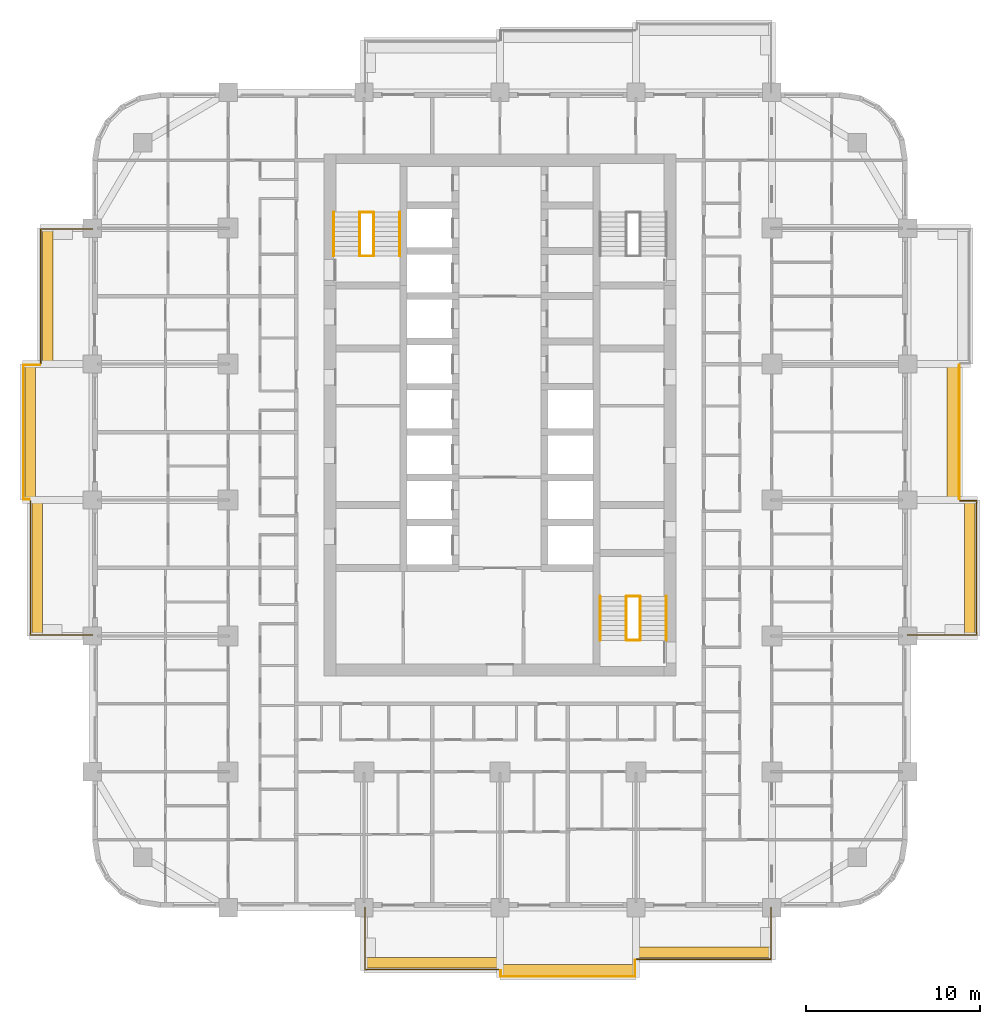
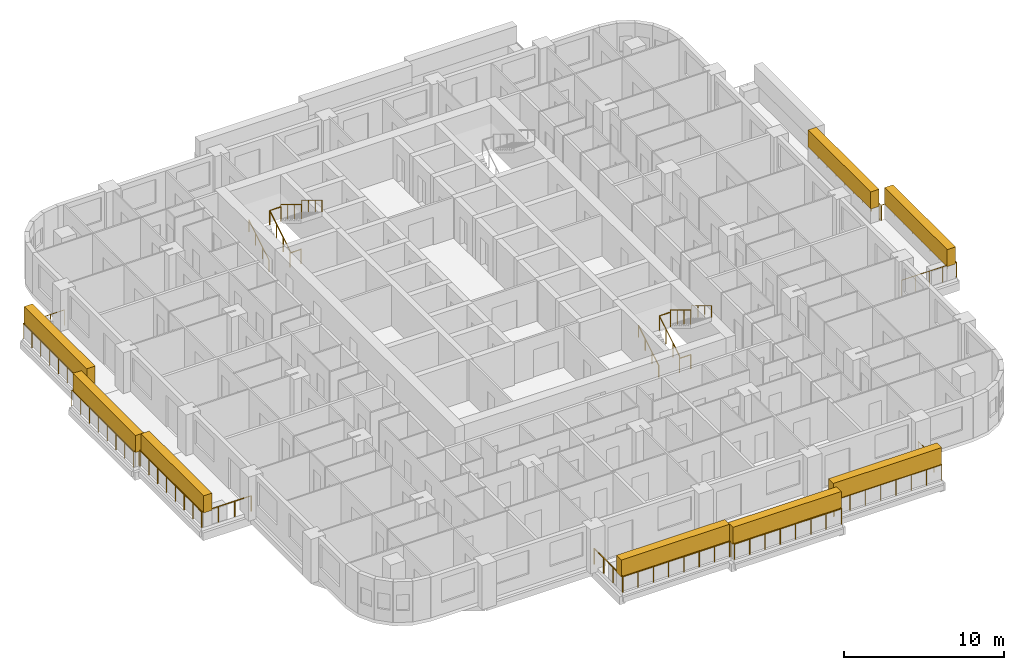
# One storey, part 16 of 17: 20 railings, 8 coverings, 2 elements without a shape of their own.
"""IFC4 building model written with IfcOpenShell, lengths in metres."""

from ifc_helpers import new_model, si_unit, direction, frame, origin, origin_2d, place, context, subcontext, project, spatial, rectangle, circle, extrude, material, layer, layer_set, type_object, element, aggregate, save


model = new_model("IFC4")

# Units and contexts
model_context = context("Model", 3, precision=1e-05, world=origin(), true_north=direction((0.0, 1.0)))
body_context = subcontext(model_context, "Body", "Model", "MODEL_VIEW")
ifc_project = project(units=[si_unit("LENGTHUNIT", "METRE"), si_unit("AREAUNIT", "SQUARE_METRE"), si_unit("VOLUMEUNIT", "CUBIC_METRE"), si_unit("PLANEANGLEUNIT", "RADIAN"), si_unit("MASSUNIT", "GRAM", prefix="KILO")], contexts=[model_context])

# Site, building, storey
site_placement = place(None, origin())
site = spatial("IfcSite", under=ifc_project, at=site_placement, CompositionType="ELEMENT")
building_placement = place(site_placement, origin())
building = spatial("IfcBuilding", under=site, at=building_placement, Name="Ludao Terraces", CompositionType="ELEMENT")
storey_placement = place(building_placement, frame((0.0, 0.0, 43.300048828125)))
storey = spatial("IfcBuildingStorey", under=building, at=storey_placement, Name="L11", CompositionType="ELEMENT", Elevation=43.300048828125)

# Railings
ifc_material_1 = material(Name="Stainless steel 304", Category="steel")
railing_type_1 = type_object("IfcRailingType", Name="ENV Balcony glass guard 1200", PredefinedType="GUARDRAIL", material=ifc_material_1)
railing_1_placement = place(storey_placement, frame((77.25, 41.60009765625, 0.0)))
element("IfcRailing", 1, at=railing_1_placement, inside=storey, type_object=railing_type_1, Name="Balcony guard L11 S2", PredefinedType="GUARDRAIL", context=body_context, shape_type="SweptSolid", body=[
    extrude(circle(Radius=0.02392578125, at=origin_2d()), frame((0.0, 0.0, 1.17578125), z_axis=(0.0, -1.0, 0.0), x_axis=(1.0, 0.0, 0.0)), (0.0, 0.0, 1.0), 3.550048828125),
    extrude(circle(Radius=0.02392578125, at=origin_2d()), frame((0.0, -3.550048828125, 1.17578125), z_axis=(1.0, 0.0, 0.0), x_axis=(0.0, 1.0, 0.0)), (0.0, 0.0, 1.0), 7.699951171875),
    extrude(circle(Radius=0.02099609375, at=origin_2d()), origin(), (0.0, 0.0, 1.0), 1.15185546875),
    extrude(circle(Radius=0.02099609375, at=origin_2d()), frame((0.0, -1.183349609375, 0.0)), (0.0, 0.0, 1.0), 1.15185546875),
    extrude(circle(Radius=0.02099609375, at=origin_2d()), frame((0.0, -2.36669921875, 0.0)), (0.0, 0.0, 1.0), 1.15185546875),
    extrude(circle(Radius=0.02099609375, at=origin_2d()), frame((0.0, -3.550048828125, 0.0)), (0.0, 0.0, 1.0), 1.15185546875),
    extrude(circle(Radius=0.02099609375, at=origin_2d()), frame((1.10009765625, -3.550048828125, 0.0)), (0.0, 0.0, 1.0), 1.15185546875),
    extrude(circle(Radius=0.02099609375, at=origin_2d()), frame((2.199951171875, -3.550048828125, 0.0)), (0.0, 0.0, 1.0), 1.15185546875),
    extrude(circle(Radius=0.02099609375, at=origin_2d()), frame((3.300048828125, -3.550048828125, 0.0)), (0.0, 0.0, 1.0), 1.15185546875),
    extrude(circle(Radius=0.02099609375, at=origin_2d()), frame((4.39990234375, -3.550048828125, 0.0)), (0.0, 0.0, 1.0), 1.15185546875),
    extrude(circle(Radius=0.02099609375, at=origin_2d()), frame((5.5, -3.550048828125, 0.0)), (0.0, 0.0, 1.0), 1.15185546875),
    extrude(circle(Radius=0.02099609375, at=origin_2d()), frame((6.599853515625, -3.550048828125, 0.0)), (0.0, 0.0, 1.0), 1.15185546875),
    extrude(circle(Radius=0.02099609375, at=origin_2d()), frame((7.699951171875, -3.550048828125, 0.0)), (0.0, 0.0, 1.0), 1.15185546875),
])
railing_2_placement = place(storey_placement, frame((85.050048828125, 38.0, 0.0)))
element("IfcRailing", 2, at=railing_2_placement, inside=storey, type_object=railing_type_1, Name="Balcony guard L11 S3", PredefinedType="GUARDRAIL", context=body_context, shape_type="SweptSolid", body=[
    extrude(circle(Radius=0.02392578125, at=origin_2d()), frame((0.0, 0.0, 1.17578125), z_axis=(0.0, -1.0, 0.0), x_axis=(1.0, 0.0, 0.0)), (0.0, 0.0, 1.0), 0.35009765625),
    extrude(circle(Radius=0.02392578125, at=origin_2d()), frame((0.0, -0.35009765625, 1.17578125), z_axis=(1.0, 0.0, 0.0), x_axis=(0.0, 1.0, 0.0)), (0.0, 0.0, 1.0), 7.699951171875),
    extrude(circle(Radius=0.02392578125, at=origin_2d()), frame((7.699951171875, -0.35009765625, 1.17578125), z_axis=(0.0, 1.0, 0.0), x_axis=(-1.0, 0.0, 0.0)), (0.0, 0.0, 1.0), 0.9501953125),
    extrude(circle(Radius=0.02099609375, at=origin_2d()), origin(), (0.0, 0.0, 1.0), 1.15185546875),
    extrude(circle(Radius=0.02099609375, at=origin_2d()), frame((0.0, -0.35009765625, 0.0)), (0.0, 0.0, 1.0), 1.15185546875),
    extrude(circle(Radius=0.02099609375, at=origin_2d()), frame((1.10009765625, -0.35009765625, 0.0)), (0.0, 0.0, 1.0), 1.15185546875),
    extrude(circle(Radius=0.02099609375, at=origin_2d()), frame((2.199951171875, -0.35009765625, 0.0)), (0.0, 0.0, 1.0), 1.15185546875),
    extrude(circle(Radius=0.02099609375, at=origin_2d()), frame((3.300048828125, -0.35009765625, 0.0)), (0.0, 0.0, 1.0), 1.15185546875),
    extrude(circle(Radius=0.02099609375, at=origin_2d()), frame((4.39990234375, -0.35009765625, 0.0)), (0.0, 0.0, 1.0), 1.15185546875),
    extrude(circle(Radius=0.02099609375, at=origin_2d()), frame((5.5, -0.35009765625, 0.0)), (0.0, 0.0, 1.0), 1.15185546875),
    extrude(circle(Radius=0.02099609375, at=origin_2d()), frame((6.599853515625, -0.35009765625, 0.0)), (0.0, 0.0, 1.0), 1.15185546875),
    extrude(circle(Radius=0.02099609375, at=origin_2d()), frame((7.699951171875, -0.35009765625, 0.0)), (0.0, 0.0, 1.0), 1.15185546875),
    extrude(circle(Radius=0.02099609375, at=origin_2d()), frame((7.699951171875, 0.60009765625, 0.0)), (0.0, 0.0, 1.0), 1.15185546875),
])
railing_3_placement = place(storey_placement, frame((92.85009765625, 38.64990234375, 0.0)))
element("IfcRailing", 3, at=railing_3_placement, inside=storey, type_object=railing_type_1, Name="Balcony guard L11 S4", PredefinedType="GUARDRAIL", context=body_context, shape_type="SweptSolid", body=[
    extrude(circle(Radius=0.02392578125, at=origin_2d()), frame((0.0, 0.0, 1.17578125), z_axis=(1.0, 0.0, 0.0), x_axis=(0.0, 1.0, 0.0)), (0.0, 0.0, 1.0), 7.699951171875),
    extrude(circle(Radius=0.02392578125, at=origin_2d()), frame((7.699951171875, 0.0, 1.17578125), z_axis=(0.0, 1.0, 0.0), x_axis=(-1.0, 0.0, 0.0)), (0.0, 0.0, 1.0), 2.9501953125),
    extrude(circle(Radius=0.02099609375, at=origin_2d()), origin(), (0.0, 0.0, 1.0), 1.15185546875),
    extrude(circle(Radius=0.02099609375, at=origin_2d()), frame((1.10009765625, 0.0, 0.0)), (0.0, 0.0, 1.0), 1.15185546875),
    extrude(circle(Radius=0.02099609375, at=origin_2d()), frame((2.199951171875, 0.0, 0.0)), (0.0, 0.0, 1.0), 1.15185546875),
    extrude(circle(Radius=0.02099609375, at=origin_2d()), frame((3.300048828125, 0.0, 0.0)), (0.0, 0.0, 1.0), 1.15185546875),
    extrude(circle(Radius=0.02099609375, at=origin_2d()), frame((4.39990234375, 0.0, 0.0)), (0.0, 0.0, 1.0), 1.15185546875),
    extrude(circle(Radius=0.02099609375, at=origin_2d()), frame((5.5, 0.0, 0.0)), (0.0, 0.0, 1.0), 1.15185546875),
    extrude(circle(Radius=0.02099609375, at=origin_2d()), frame((6.599853515625, 0.0, 0.0)), (0.0, 0.0, 1.0), 1.15185546875),
    extrude(circle(Radius=0.02099609375, at=origin_2d()), frame((7.699951171875, 0.0, 0.0)), (0.0, 0.0, 1.0), 1.15185546875),
    extrude(circle(Radius=0.02099609375, at=origin_2d()), frame((7.699951171875, 0.9833984375, 0.0)), (0.0, 0.0, 1.0), 1.15185546875),
    extrude(circle(Radius=0.02099609375, at=origin_2d()), frame((7.699951171875, 1.966796875, 0.0)), (0.0, 0.0, 1.0), 1.15185546875),
    extrude(circle(Radius=0.02099609375, at=origin_2d()), frame((7.699951171875, 2.9501953125, 0.0)), (0.0, 0.0, 1.0), 1.15185546875),
])
railing_4_placement = place(storey_placement, frame((108.39990234375, 57.25, 0.0)))
element("IfcRailing", 4, at=railing_4_placement, inside=storey, type_object=railing_type_1, Name="Balcony guard L11 E2", PredefinedType="GUARDRAIL", context=body_context, shape_type="SweptSolid", body=[
    extrude(circle(Radius=0.02392578125, at=origin_2d()), frame((0.0, 0.0, 1.17578125), z_axis=(1.0, 0.0, 0.0), x_axis=(0.0, 1.0, 0.0)), (0.0, 0.0, 1.0), 3.9501953125),
    extrude(circle(Radius=0.02392578125, at=origin_2d()), frame((3.9501953125, 0.0, 1.17578125), z_axis=(0.0, 1.0, 0.0), x_axis=(-1.0, 0.0, 0.0)), (0.0, 0.0, 1.0), 7.699951171875),
    extrude(circle(Radius=0.02392578125, at=origin_2d()), frame((3.9501953125, 7.699951171875, 1.17578125), z_axis=(-1.0, 0.0, 0.0), x_axis=(0.0, -1.0, 0.0)), (0.0, 0.0, 1.0), 0.9501953125),
    extrude(circle(Radius=0.02099609375, at=origin_2d()), origin(), (0.0, 0.0, 1.0), 1.15185546875),
    extrude(circle(Radius=0.02099609375, at=origin_2d()), frame((0.987548828125, 0.0, 0.0)), (0.0, 0.0, 1.0), 1.15185546875),
    extrude(circle(Radius=0.02099609375, at=origin_2d()), frame((1.97509765625, 0.0, 0.0)), (0.0, 0.0, 1.0), 1.15185546875),
    extrude(circle(Radius=0.02099609375, at=origin_2d()), frame((2.962646484375, 0.0, 0.0)), (0.0, 0.0, 1.0), 1.15185546875),
    extrude(circle(Radius=0.02099609375, at=origin_2d()), frame((3.9501953125, 0.0, 0.0)), (0.0, 0.0, 1.0), 1.15185546875),
    extrude(circle(Radius=0.02099609375, at=origin_2d()), frame((3.9501953125, 1.10009765625, 0.0)), (0.0, 0.0, 1.0), 1.15185546875),
    extrude(circle(Radius=0.02099609375, at=origin_2d()), frame((3.9501953125, 2.199951171875, 0.0)), (0.0, 0.0, 1.0), 1.15185546875),
    extrude(circle(Radius=0.02099609375, at=origin_2d()), frame((3.9501953125, 3.300048828125, 0.0)), (0.0, 0.0, 1.0), 1.15185546875),
    extrude(circle(Radius=0.02099609375, at=origin_2d()), frame((3.9501953125, 4.39990234375, 0.0)), (0.0, 0.0, 1.0), 1.15185546875),
    extrude(circle(Radius=0.02099609375, at=origin_2d()), frame((3.9501953125, 5.5, 0.0)), (0.0, 0.0, 1.0), 1.15185546875),
    extrude(circle(Radius=0.02099609375, at=origin_2d()), frame((3.9501953125, 6.599853515625, 0.0)), (0.0, 0.0, 1.0), 1.15185546875),
    extrude(circle(Radius=0.02099609375, at=origin_2d()), frame((3.9501953125, 7.699951171875, 0.0)), (0.0, 0.0, 1.0), 1.15185546875),
    extrude(circle(Radius=0.02099609375, at=origin_2d()), frame((3.0, 7.699951171875, 0.0)), (0.0, 0.0, 1.0), 1.15185546875),
])
railing_5_placement = place(storey_placement, frame((111.35009765625, 65.050048828125, 0.0)))
element("IfcRailing", 5, at=railing_5_placement, inside=storey, type_object=railing_type_1, Name="Balcony guard L11 E3", PredefinedType="GUARDRAIL", context=body_context, shape_type="SweptSolid", body=[
    extrude(circle(Radius=0.02392578125, at=origin_2d()), frame((0.0, 0.0, 1.17578125), z_axis=(0.0, 1.0, 0.0), x_axis=(-1.0, 0.0, 0.0)), (0.0, 0.0, 1.0), 7.699951171875),
    extrude(circle(Radius=0.02099609375, at=origin_2d()), origin(), (0.0, 0.0, 1.0), 1.15185546875),
    extrude(circle(Radius=0.02099609375, at=origin_2d()), frame((0.0, 1.10009765625, 0.0)), (0.0, 0.0, 1.0), 1.15185546875),
    extrude(circle(Radius=0.02099609375, at=origin_2d()), frame((0.0, 2.199951171875, 0.0)), (0.0, 0.0, 1.0), 1.15185546875),
    extrude(circle(Radius=0.02099609375, at=origin_2d()), frame((0.0, 3.300048828125, 0.0)), (0.0, 0.0, 1.0), 1.15185546875),
    extrude(circle(Radius=0.02099609375, at=origin_2d()), frame((0.0, 4.39990234375, 0.0)), (0.0, 0.0, 1.0), 1.15185546875),
    extrude(circle(Radius=0.02099609375, at=origin_2d()), frame((0.0, 5.5, 0.0)), (0.0, 0.0, 1.0), 1.15185546875),
    extrude(circle(Radius=0.02099609375, at=origin_2d()), frame((0.0, 6.599853515625, 0.0)), (0.0, 0.0, 1.0), 1.15185546875),
    extrude(circle(Radius=0.02099609375, at=origin_2d()), frame((0.0, 7.699951171875, 0.0)), (0.0, 0.0, 1.0), 1.15185546875),
])
railing_6_placement = place(storey_placement, frame((61.60009765625, 57.25, 0.0)))
element("IfcRailing", 6, at=railing_6_placement, inside=storey, type_object=railing_type_1, Name="Balcony guard L11 W2", PredefinedType="GUARDRAIL", context=body_context, shape_type="SweptSolid", body=[
    extrude(circle(Radius=0.02392578125, at=origin_2d()), frame((0.0, 0.0, 1.17578125), z_axis=(-1.0, 0.0, 0.0), x_axis=(0.0, -1.0, 0.0)), (0.0, 0.0, 1.0), 3.550048828125),
    extrude(circle(Radius=0.02392578125, at=origin_2d()), frame((-3.550048828125, 0.0, 1.17578125), z_axis=(0.0, 1.0, 0.0), x_axis=(-1.0, 0.0, 0.0)), (0.0, 0.0, 1.0), 7.699951171875),
    extrude(circle(Radius=0.02099609375, at=origin_2d()), origin(), (0.0, 0.0, 1.0), 1.15185546875),
    extrude(circle(Radius=0.02099609375, at=origin_2d()), frame((-1.183349609375, 0.0, 0.0)), (0.0, 0.0, 1.0), 1.15185546875),
    extrude(circle(Radius=0.02099609375, at=origin_2d()), frame((-2.36669921875, 0.0, 0.0)), (0.0, 0.0, 1.0), 1.15185546875),
    extrude(circle(Radius=0.02099609375, at=origin_2d()), frame((-3.550048828125, 0.0, 0.0)), (0.0, 0.0, 1.0), 1.15185546875),
    extrude(circle(Radius=0.02099609375, at=origin_2d()), frame((-3.550048828125, 1.10009765625, 0.0)), (0.0, 0.0, 1.0), 1.15185546875),
    extrude(circle(Radius=0.02099609375, at=origin_2d()), frame((-3.550048828125, 2.199951171875, 0.0)), (0.0, 0.0, 1.0), 1.15185546875),
    extrude(circle(Radius=0.02099609375, at=origin_2d()), frame((-3.550048828125, 3.300048828125, 0.0)), (0.0, 0.0, 1.0), 1.15185546875),
    extrude(circle(Radius=0.02099609375, at=origin_2d()), frame((-3.550048828125, 4.39990234375, 0.0)), (0.0, 0.0, 1.0), 1.15185546875),
    extrude(circle(Radius=0.02099609375, at=origin_2d()), frame((-3.550048828125, 5.5, 0.0)), (0.0, 0.0, 1.0), 1.15185546875),
    extrude(circle(Radius=0.02099609375, at=origin_2d()), frame((-3.550048828125, 6.599853515625, 0.0)), (0.0, 0.0, 1.0), 1.15185546875),
    extrude(circle(Radius=0.02099609375, at=origin_2d()), frame((-3.550048828125, 7.699951171875, 0.0)), (0.0, 0.0, 1.0), 1.15185546875),
])
railing_7_placement = place(storey_placement, frame((58.0, 65.050048828125, 0.0)))
element("IfcRailing", 7, at=railing_7_placement, inside=storey, type_object=railing_type_1, Name="Balcony guard L11 W3", PredefinedType="GUARDRAIL", context=body_context, shape_type="SweptSolid", body=[
    extrude(circle(Radius=0.02392578125, at=origin_2d()), frame((0.0, 0.0, 1.17578125), z_axis=(-1.0, 0.0, 0.0), x_axis=(0.0, -1.0, 0.0)), (0.0, 0.0, 1.0), 0.35009765625),
    extrude(circle(Radius=0.02392578125, at=origin_2d()), frame((-0.35009765625, 0.0, 1.17578125), z_axis=(0.0, 1.0, 0.0), x_axis=(-1.0, 0.0, 0.0)), (0.0, 0.0, 1.0), 7.699951171875),
    extrude(circle(Radius=0.02392578125, at=origin_2d()), frame((-0.35009765625, 7.699951171875, 1.17578125), z_axis=(1.0, 0.0, 0.0), x_axis=(0.0, 1.0, 0.0)), (0.0, 0.0, 1.0), 0.9501953125),
    extrude(circle(Radius=0.02099609375, at=origin_2d()), origin(), (0.0, 0.0, 1.0), 1.15185546875),
    extrude(circle(Radius=0.02099609375, at=origin_2d()), frame((-0.35009765625, 0.0, 0.0)), (0.0, 0.0, 1.0), 1.15185546875),
    extrude(circle(Radius=0.02099609375, at=origin_2d()), frame((-0.35009765625, 1.10009765625, 0.0)), (0.0, 0.0, 1.0), 1.15185546875),
    extrude(circle(Radius=0.02099609375, at=origin_2d()), frame((-0.35009765625, 2.199951171875, 0.0)), (0.0, 0.0, 1.0), 1.15185546875),
    extrude(circle(Radius=0.02099609375, at=origin_2d()), frame((-0.35009765625, 3.300048828125, 0.0)), (0.0, 0.0, 1.0), 1.15185546875),
    extrude(circle(Radius=0.02099609375, at=origin_2d()), frame((-0.35009765625, 4.39990234375, 0.0)), (0.0, 0.0, 1.0), 1.15185546875),
    extrude(circle(Radius=0.02099609375, at=origin_2d()), frame((-0.35009765625, 5.5, 0.0)), (0.0, 0.0, 1.0), 1.15185546875),
    extrude(circle(Radius=0.02099609375, at=origin_2d()), frame((-0.35009765625, 6.599853515625, 0.0)), (0.0, 0.0, 1.0), 1.15185546875),
    extrude(circle(Radius=0.02099609375, at=origin_2d()), frame((-0.35009765625, 7.699951171875, 0.0)), (0.0, 0.0, 1.0), 1.15185546875),
    extrude(circle(Radius=0.02099609375, at=origin_2d()), frame((0.60009765625, 7.699951171875, 0.0)), (0.0, 0.0, 1.0), 1.15185546875),
])
railing_8_placement = place(storey_placement, frame((58.64990234375, 72.85009765625, 0.0)))
element("IfcRailing", 8, at=railing_8_placement, inside=storey, type_object=railing_type_1, Name="Balcony guard L11 W4", PredefinedType="GUARDRAIL", context=body_context, shape_type="SweptSolid", body=[
    extrude(circle(Radius=0.02392578125, at=origin_2d()), frame((0.0, 0.0, 1.17578125), z_axis=(0.0, 1.0, 0.0), x_axis=(-1.0, 0.0, 0.0)), (0.0, 0.0, 1.0), 7.699951171875),
    extrude(circle(Radius=0.02392578125, at=origin_2d()), frame((0.0, 7.699951171875, 1.17578125), z_axis=(1.0, 0.0, 0.0), x_axis=(0.0, 1.0, 0.0)), (0.0, 0.0, 1.0), 2.9501953125),
    extrude(circle(Radius=0.02099609375, at=origin_2d()), origin(), (0.0, 0.0, 1.0), 1.15185546875),
    extrude(circle(Radius=0.02099609375, at=origin_2d()), frame((0.0, 1.10009765625, 0.0)), (0.0, 0.0, 1.0), 1.15185546875),
    extrude(circle(Radius=0.02099609375, at=origin_2d()), frame((0.0, 2.199951171875, 0.0)), (0.0, 0.0, 1.0), 1.15185546875),
    extrude(circle(Radius=0.02099609375, at=origin_2d()), frame((0.0, 3.300048828125, 0.0)), (0.0, 0.0, 1.0), 1.15185546875),
    extrude(circle(Radius=0.02099609375, at=origin_2d()), frame((0.0, 4.39990234375, 0.0)), (0.0, 0.0, 1.0), 1.15185546875),
    extrude(circle(Radius=0.02099609375, at=origin_2d()), frame((0.0, 5.5, 0.0)), (0.0, 0.0, 1.0), 1.15185546875),
    extrude(circle(Radius=0.02099609375, at=origin_2d()), frame((0.0, 6.599853515625, 0.0)), (0.0, 0.0, 1.0), 1.15185546875),
    extrude(circle(Radius=0.02099609375, at=origin_2d()), frame((0.0, 7.699951171875, 0.0)), (0.0, 0.0, 1.0), 1.15185546875),
    extrude(circle(Radius=0.02099609375, at=origin_2d()), frame((0.9833984375, 7.699951171875, 0.0)), (0.0, 0.0, 1.0), 1.15185546875),
    extrude(circle(Radius=0.02099609375, at=origin_2d()), frame((1.966796875, 7.699951171875, 0.0)), (0.0, 0.0, 1.0), 1.15185546875),
    extrude(circle(Radius=0.02099609375, at=origin_2d()), frame((2.9501953125, 7.699951171875, 0.0)), (0.0, 0.0, 1.0), 1.15185546875),
])

# Coverings
ifc_material_2 = material(Name="Planting")
ifc_layer = layer(ifc_material_2, 0.60009765625)
ifc_layer_set = layer_set([ifc_layer], Name="ENV Planting hedge 600x1300")
covering_type = type_object("IfcCoveringType", Name="ENV Planting hedge 600x1300", PredefinedType="USERDEFINED", material=ifc_layer_set)
for number, where, z_axis, x_axis, name in (
    (9, (81.10009765625, 38.449951171875, 1.10009765625), (0.0, 0.0, 1.0), (1.0, 0.0, 0.0), "Planting hedge L11-S2"),
    (10, (88.89990234375, 38.050048828125, 1.10009765625), (0.0, 0.0, 1.0), (1.0, 0.0, 0.0), "Planting hedge L11-S3"),
    (11, (96.699951171875, 39.050048828125, 1.10009765625), (0.0, 0.0, 1.0), (1.0, 0.0, 0.0), "Planting hedge L11-S4"),
):
    element("IfcCovering", number, at=place(storey_placement, frame(where, z_axis=z_axis, x_axis=x_axis)), inside=storey, type_object=covering_type, Name=name, ObjectType="PLANTING", PredefinedType="USERDEFINED", context=body_context, shape_type="SweptSolid", body=[
        extrude(rectangle(XDim=7.800048828125, YDim=0.60009765625, at=origin_2d()), origin(), (0.0, 0.0, 1.0), 1.300048828125),
    ])
for number, where, z_axis, x_axis, name in (
    (12, (111.949951171875, 61.10009765625, 1.10009765625), (0.0, 0.0, 1.0), (1.0, 0.0, 0.0), "Planting hedge L11-E2"),
    (13, (110.949951171875, 68.89990234375, 1.10009765625), (0.0, 0.0, 1.0), (1.0, 0.0, 0.0), "Planting hedge L11-E3"),
    (14, (58.449951171875, 61.10009765625, 1.10009765625), (0.0, 0.0, 1.0), (1.0, 0.0, 0.0), "Planting hedge L11-W2"),
    (15, (58.050048828125, 68.89990234375, 1.10009765625), (0.0, 0.0, 1.0), (1.0, 0.0, 0.0), "Planting hedge L11-W3"),
    (16, (59.050048828125, 76.699951171875, 1.10009765625), (0.0, 0.0, 1.0), (1.0, 0.0, 0.0), "Planting hedge L11-W4"),
):
    element("IfcCovering", number, at=place(storey_placement, frame(where, z_axis=z_axis, x_axis=x_axis)), inside=storey, type_object=covering_type, Name=name, ObjectType="PLANTING", PredefinedType="USERDEFINED", context=body_context, shape_type="SweptSolid", body=[
        extrude(rectangle(XDim=0.60009765625, YDim=7.800048828125, at=origin_2d()), origin(), (0.0, 0.0, 1.0), 1.300048828125),
    ])

# Stair, railings
ifc_material_3 = material(Name="Concrete C40", Category="concrete")
stair_type = type_object("IfcStairType", Name="INT Stair", PredefinedType="HALF_TURN_STAIR", material=ifc_material_3)
stair_1_placement = place(storey_placement, origin())
stair_1 = element("IfcStair", 17, at=stair_1_placement, inside=storey, type_object=stair_type, Name="EXIT STAIR 1", PredefinedType="HALF_TURN_STAIR")
railing_type_2 = type_object("IfcRailingType", Name="INT Stair guard 1100", PredefinedType="GUARDRAIL", material=ifc_material_1)
railing_9_placement = place(storey_placement, frame((76.949951171875, 79.0, 0.169921875)))
railing_9 = element("IfcRailing", 18, at=railing_9_placement, type_object=railing_type_2, Name="ST-L11-S1-R1G", PredefinedType="GUARDRAIL", context=body_context, shape_type="SweptSolid", body=[
    extrude(circle(Radius=0.02392578125, at=origin_2d()), frame((0.0, 0.0, 1.076171875), z_axis=(0.0, 0.85478489116, 0.518982456201), x_axis=(-1.0, 0.0, 0.0)), (0.0, 0.0, 1.0), 2.9482421875),
    extrude(circle(Radius=0.02099609375, at=origin_2d()), origin(), (0.0, 0.0, 1.0), 1.052001953125),
    extrude(circle(Radius=0.02099609375, at=origin_2d()), frame((0.0, 0.840087890625, 0.510009765625)), (0.0, 0.0, 1.0), 1.052001953125),
    extrude(circle(Radius=0.02099609375, at=origin_2d()), frame((0.0, 1.679931640625, 1.02001953125)), (0.0, 0.0, 1.0), 1.052001953125),
    extrude(circle(Radius=0.02099609375, at=origin_2d()), frame((0.0, 2.52001953125, 1.530029296875)), (0.0, 0.0, 1.0), 1.052001953125),
])
railing_10_placement = place(storey_placement, frame((77.75, 81.52001953125, 1.869873046875)))
railing_10 = element("IfcRailing", 19, at=railing_10_placement, type_object=railing_type_2, Name="ST-L11-S1-R2G", PredefinedType="GUARDRAIL", context=body_context, shape_type="SweptSolid", body=[
    extrude(circle(Radius=0.02392578125, at=origin_2d()), frame((0.0, 0.0, 1.076171875), z_axis=(0.0, -0.85478489116, 0.518982456201), x_axis=(1.0, 0.0, 0.0)), (0.0, 0.0, 1.0), 2.9482421875),
    extrude(circle(Radius=0.02099609375, at=origin_2d()), origin(), (0.0, 0.0, 1.0), 1.052001953125),
    extrude(circle(Radius=0.02099609375, at=origin_2d()), frame((0.0, -0.840087890625, 0.510009765625)), (0.0, 0.0, 1.0), 1.052001953125),
    extrude(circle(Radius=0.02099609375, at=origin_2d()), frame((0.0, -1.679931640625, 1.02001953125)), (0.0, 0.0, 1.0), 1.052001953125),
    extrude(circle(Radius=0.02099609375, at=origin_2d()), frame((0.0, -2.52001953125, 1.530029296875)), (0.0, 0.0, 1.0), 1.052001953125),
])
railing_11_placement = place(storey_placement, frame((76.949951171875, 81.52001953125, 1.699951171875)))
railing_11 = element("IfcRailing", 20, at=railing_11_placement, type_object=railing_type_2, Name="ST-L11-S1-E1G", PredefinedType="GUARDRAIL", context=body_context, shape_type="SweptSolid", body=[
    extrude(circle(Radius=0.02392578125, at=origin_2d()), frame((0.0, 0.0, 1.076171875), z_axis=(1.0, 0.0, 0.0), x_axis=(0.0, 1.0, 0.0)), (0.0, 0.0, 1.0), 0.800048828125),
    extrude(circle(Radius=0.02099609375, at=origin_2d()), origin(), (0.0, 0.0, 1.0), 1.052001953125),
    extrude(circle(Radius=0.02099609375, at=origin_2d()), frame((0.800048828125, 0.0, 0.0)), (0.0, 0.0, 1.0), 1.052001953125),
])
railing_12_placement = place(storey_placement, frame((76.949951171875, 79.0, 0.0)))
railing_12 = element("IfcRailing", 21, at=railing_12_placement, type_object=railing_type_2, Name="ST-L11-S1-E2G", PredefinedType="GUARDRAIL", context=body_context, shape_type="SweptSolid", body=[
    extrude(circle(Radius=0.02392578125, at=origin_2d()), frame((0.0, 0.0, 1.076171875), z_axis=(1.0, 0.0, 0.0), x_axis=(0.0, 1.0, 0.0)), (0.0, 0.0, 1.0), 0.800048828125),
    extrude(circle(Radius=0.02099609375, at=origin_2d()), origin(), (0.0, 0.0, 1.0), 1.052001953125),
    extrude(circle(Radius=0.02099609375, at=origin_2d()), frame((0.800048828125, 0.0, 0.0)), (0.0, 0.0, 1.0), 1.052001953125),
])

stair_2_placement = place(storey_placement, origin())
stair_2 = element("IfcStair", 22, at=stair_2_placement, inside=storey, type_object=stair_type, Name="EXIT STAIR 3", PredefinedType="HALF_TURN_STAIR")
railing_13_placement = place(storey_placement, frame((92.25, 56.949951171875, 0.169921875)))
railing_13 = element("IfcRailing", 23, at=railing_13_placement, type_object=railing_type_2, Name="ST-L11-S3-R1G", PredefinedType="GUARDRAIL", context=body_context, shape_type="SweptSolid", body=[
    extrude(circle(Radius=0.02392578125, at=origin_2d()), frame((0.0, 0.0, 1.076171875), z_axis=(0.0, 0.85478489116, 0.518982456201), x_axis=(-1.0, 0.0, 0.0)), (0.0, 0.0, 1.0), 2.9482421875),
    extrude(circle(Radius=0.02099609375, at=origin_2d()), origin(), (0.0, 0.0, 1.0), 1.052001953125),
    extrude(circle(Radius=0.02099609375, at=origin_2d()), frame((0.0, 0.840087890625, 0.510009765625)), (0.0, 0.0, 1.0), 1.052001953125),
    extrude(circle(Radius=0.02099609375, at=origin_2d()), frame((0.0, 1.679931640625, 1.02001953125)), (0.0, 0.0, 1.0), 1.052001953125),
    extrude(circle(Radius=0.02099609375, at=origin_2d()), frame((0.0, 2.52001953125, 1.530029296875)), (0.0, 0.0, 1.0), 1.052001953125),
])
railing_14_placement = place(storey_placement, frame((93.050048828125, 59.469970703125, 1.869873046875)))
railing_14 = element("IfcRailing", 24, at=railing_14_placement, type_object=railing_type_2, Name="ST-L11-S3-R2G", PredefinedType="GUARDRAIL", context=body_context, shape_type="SweptSolid", body=[
    extrude(circle(Radius=0.02392578125, at=origin_2d()), frame((0.0, 0.0, 1.076171875), z_axis=(0.0, -0.85478489116, 0.518982456201), x_axis=(1.0, 0.0, 0.0)), (0.0, 0.0, 1.0), 2.9482421875),
    extrude(circle(Radius=0.02099609375, at=origin_2d()), origin(), (0.0, 0.0, 1.0), 1.052001953125),
    extrude(circle(Radius=0.02099609375, at=origin_2d()), frame((0.0, -0.840087890625, 0.510009765625)), (0.0, 0.0, 1.0), 1.052001953125),
    extrude(circle(Radius=0.02099609375, at=origin_2d()), frame((0.0, -1.679931640625, 1.02001953125)), (0.0, 0.0, 1.0), 1.052001953125),
    extrude(circle(Radius=0.02099609375, at=origin_2d()), frame((0.0, -2.52001953125, 1.530029296875)), (0.0, 0.0, 1.0), 1.052001953125),
])
railing_15_placement = place(storey_placement, frame((92.25, 59.469970703125, 1.699951171875)))
railing_15 = element("IfcRailing", 25, at=railing_15_placement, type_object=railing_type_2, Name="ST-L11-S3-E1G", PredefinedType="GUARDRAIL", context=body_context, shape_type="SweptSolid", body=[
    extrude(circle(Radius=0.02392578125, at=origin_2d()), frame((0.0, 0.0, 1.076171875), z_axis=(1.0, 0.0, 0.0), x_axis=(0.0, 1.0, 0.0)), (0.0, 0.0, 1.0), 0.800048828125),
    extrude(circle(Radius=0.02099609375, at=origin_2d()), origin(), (0.0, 0.0, 1.0), 1.052001953125),
    extrude(circle(Radius=0.02099609375, at=origin_2d()), frame((0.800048828125, 0.0, 0.0)), (0.0, 0.0, 1.0), 1.052001953125),
])
railing_16_placement = place(storey_placement, frame((92.25, 56.949951171875, 0.0)))
railing_16 = element("IfcRailing", 26, at=railing_16_placement, type_object=railing_type_2, Name="ST-L11-S3-E2G", PredefinedType="GUARDRAIL", context=body_context, shape_type="SweptSolid", body=[
    extrude(circle(Radius=0.02392578125, at=origin_2d()), frame((0.0, 0.0, 1.076171875), z_axis=(1.0, 0.0, 0.0), x_axis=(0.0, 1.0, 0.0)), (0.0, 0.0, 1.0), 0.800048828125),
    extrude(circle(Radius=0.02099609375, at=origin_2d()), origin(), (0.0, 0.0, 1.0), 1.052001953125),
    extrude(circle(Radius=0.02099609375, at=origin_2d()), frame((0.800048828125, 0.0, 0.0)), (0.0, 0.0, 1.0), 1.052001953125),
])

# Railing
railing_type_3 = type_object("IfcRailingType", Name="INT Stair handrail 900", PredefinedType="HANDRAIL", material=ifc_material_1)
railing_17_placement = place(storey_placement, frame((75.449951171875, 79.0, 0.169921875)))
railing_17 = element("IfcRailing", 27, at=railing_17_placement, type_object=railing_type_3, Name="ST-L11-S1-R1H", PredefinedType="HANDRAIL", context=body_context, shape_type="SweptSolid", body=[
    extrude(circle(Radius=0.02392578125, at=origin_2d()), frame((0.0, 0.0, 0.8759765625), z_axis=(0.0, 0.85478489116, 0.518982456201), x_axis=(-1.0, 0.0, 0.0)), (0.0, 0.0, 1.0), 2.9482421875),
    extrude(circle(Radius=0.02099609375, at=origin_2d()), origin(), (0.0, 0.0, 1.0), 0.851806640625),
    extrude(circle(Radius=0.02099609375, at=origin_2d()), frame((0.0, 0.840087890625, 0.510009765625)), (0.0, 0.0, 1.0), 0.851806640625),
    extrude(circle(Radius=0.02099609375, at=origin_2d()), frame((0.0, 1.679931640625, 1.02001953125)), (0.0, 0.0, 1.0), 0.851806640625),
    extrude(circle(Radius=0.02099609375, at=origin_2d()), frame((0.0, 2.52001953125, 1.530029296875)), (0.0, 0.0, 1.0), 0.851806640625),
])

railing_18_placement = place(storey_placement, frame((79.25, 81.52001953125, 1.869873046875)))
railing_18 = element("IfcRailing", 28, at=railing_18_placement, type_object=railing_type_3, Name="ST-L11-S1-R2H", PredefinedType="HANDRAIL", context=body_context, shape_type="SweptSolid", body=[
    extrude(circle(Radius=0.02392578125, at=origin_2d()), frame((0.0, 0.0, 0.8759765625), z_axis=(0.0, -0.85478489116, 0.518982456201), x_axis=(1.0, 0.0, 0.0)), (0.0, 0.0, 1.0), 2.9482421875),
    extrude(circle(Radius=0.02099609375, at=origin_2d()), origin(), (0.0, 0.0, 1.0), 0.851806640625),
    extrude(circle(Radius=0.02099609375, at=origin_2d()), frame((0.0, -0.840087890625, 0.510009765625)), (0.0, 0.0, 1.0), 0.851806640625),
    extrude(circle(Radius=0.02099609375, at=origin_2d()), frame((0.0, -1.679931640625, 1.02001953125)), (0.0, 0.0, 1.0), 0.851806640625),
    extrude(circle(Radius=0.02099609375, at=origin_2d()), frame((0.0, -2.52001953125, 1.530029296875)), (0.0, 0.0, 1.0), 0.851806640625),
])

aggregate(stair_1, [railing_9, railing_17, railing_10, railing_18, railing_11, railing_12])

railing_19_placement = place(storey_placement, frame((90.75, 56.949951171875, 0.169921875)))
railing_19 = element("IfcRailing", 29, at=railing_19_placement, type_object=railing_type_3, Name="ST-L11-S3-R1H", PredefinedType="HANDRAIL", context=body_context, shape_type="SweptSolid", body=[
    extrude(circle(Radius=0.02392578125, at=origin_2d()), frame((0.0, 0.0, 0.8759765625), z_axis=(0.0, 0.85478489116, 0.518982456201), x_axis=(-1.0, 0.0, 0.0)), (0.0, 0.0, 1.0), 2.9482421875),
    extrude(circle(Radius=0.02099609375, at=origin_2d()), origin(), (0.0, 0.0, 1.0), 0.851806640625),
    extrude(circle(Radius=0.02099609375, at=origin_2d()), frame((0.0, 0.840087890625, 0.510009765625)), (0.0, 0.0, 1.0), 0.851806640625),
    extrude(circle(Radius=0.02099609375, at=origin_2d()), frame((0.0, 1.679931640625, 1.02001953125)), (0.0, 0.0, 1.0), 0.851806640625),
    extrude(circle(Radius=0.02099609375, at=origin_2d()), frame((0.0, 2.52001953125, 1.530029296875)), (0.0, 0.0, 1.0), 0.851806640625),
])

railing_20_placement = place(storey_placement, frame((94.550048828125, 59.469970703125, 1.869873046875)))
railing_20 = element("IfcRailing", 30, at=railing_20_placement, type_object=railing_type_3, Name="ST-L11-S3-R2H", PredefinedType="HANDRAIL", context=body_context, shape_type="SweptSolid", body=[
    extrude(circle(Radius=0.02392578125, at=origin_2d()), frame((0.0, 0.0, 0.8759765625), z_axis=(0.0, -0.85478489116, 0.518982456201), x_axis=(1.0, 0.0, 0.0)), (0.0, 0.0, 1.0), 2.9482421875),
    extrude(circle(Radius=0.02099609375, at=origin_2d()), origin(), (0.0, 0.0, 1.0), 0.851806640625),
    extrude(circle(Radius=0.02099609375, at=origin_2d()), frame((0.0, -0.840087890625, 0.510009765625)), (0.0, 0.0, 1.0), 0.851806640625),
    extrude(circle(Radius=0.02099609375, at=origin_2d()), frame((0.0, -1.679931640625, 1.02001953125)), (0.0, 0.0, 1.0), 0.851806640625),
    extrude(circle(Radius=0.02099609375, at=origin_2d()), frame((0.0, -2.52001953125, 1.530029296875)), (0.0, 0.0, 1.0), 0.851806640625),
])

aggregate(stair_2, [railing_13, railing_19, railing_14, railing_20, railing_15, railing_16])

save(model, "model.ifc")
